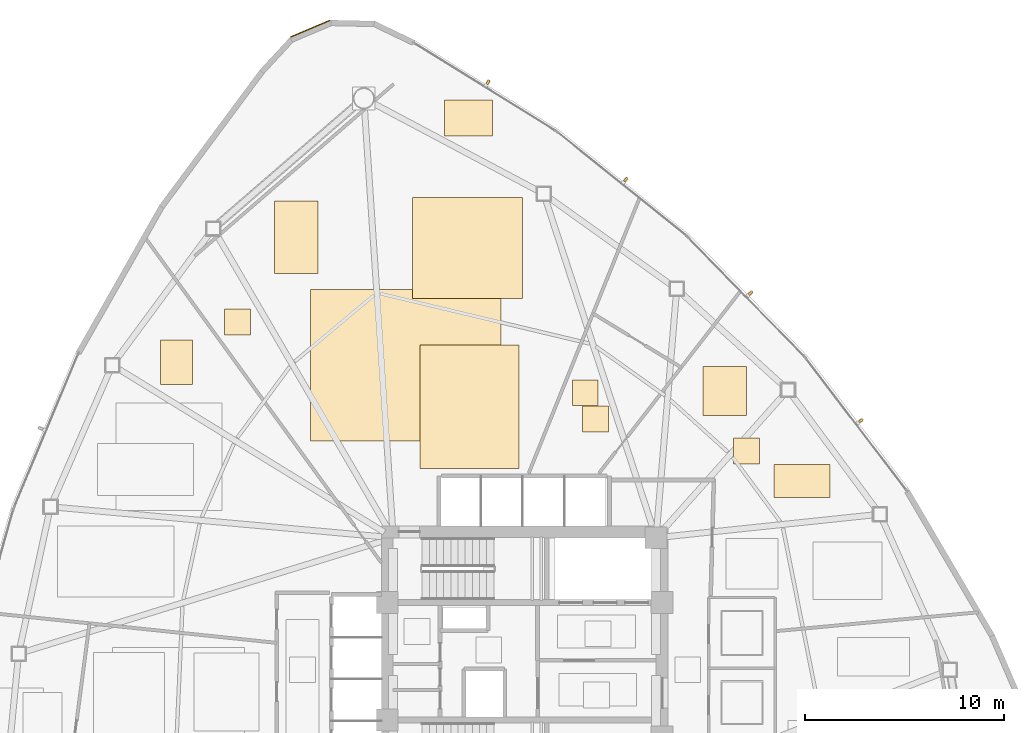
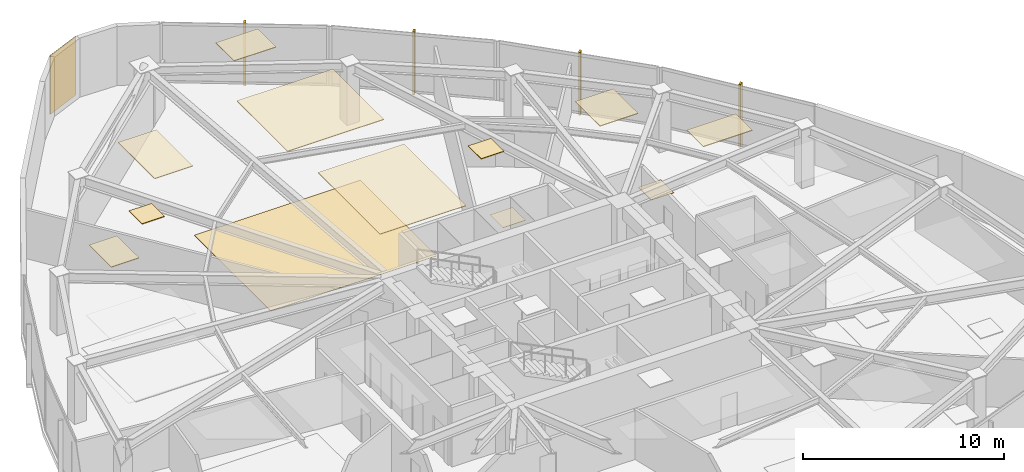
# One storey, part 17 of 17: 13 coverings, 4 shading devices.
"""IFC4 building model written with IfcOpenShell, lengths in metres."""

from ifc_helpers import new_model, si_unit, direction, frame, origin, origin_2d, place, context, subcontext, project, spatial, polyline, rectangle, outline, extrude, source, transform, mapped, material, layer, layer_set, type_object, type_shapes, element, save


model = new_model("IFC4")

# Units and contexts
model_context = context("Model", 3, precision=1e-05, world=origin(), true_north=direction((0.0, 1.0)))
body_context = subcontext(model_context, "Body", "Model", "MODEL_VIEW")
ifc_project = project(units=[si_unit("LENGTHUNIT", "METRE"), si_unit("AREAUNIT", "SQUARE_METRE"), si_unit("VOLUMEUNIT", "CUBIC_METRE"), si_unit("PLANEANGLEUNIT", "RADIAN"), si_unit("MASSUNIT", "GRAM", prefix="KILO")], contexts=[model_context])

# Site, building, storey
site_placement = place(None, origin())
site = spatial("IfcSite", under=ifc_project, at=site_placement, CompositionType="ELEMENT")
building_placement = place(site_placement, origin())
building = spatial("IfcBuilding", under=site, at=building_placement, Name="Tavelor Broadcast Tower", CompositionType="ELEMENT")
storey_placement = place(building_placement, frame((0.0, 0.0, 70.5)))
storey = spatial("IfcBuildingStorey", under=building, at=storey_placement, Name="L16", CompositionType="ELEMENT", Elevation=70.5)

# Coverings
ifc_material_1 = material(Name="Copper-Bronze Anodized Aluminium", Category="aluminium")
ifc_layer_1 = layer(ifc_material_1, 0.050048828125)
ifc_layer_set_1 = layer_set([ifc_layer_1], Name="Copper-Bronze Anodized Aluminium")
covering_type_1 = type_object("IfcCoveringType", Name="Champagne-Bronze Corner Pier Metal Cladding 50 mm", PredefinedType="CLADDING", material=ifc_layer_set_1)
covering_1_placement = place(storey_placement, frame((39.23388671875, 76.763916015625, 0.02001953125), z_axis=(0.0, 0.0, 1.0), x_axis=(-0.920845480141, -0.389927687788, 0.0)))
element("IfcCovering", 1, at=covering_1_placement, inside=storey, type_object=covering_type_1, Name="L16 Champagne-Bronze Corner Cladding 03", PredefinedType="CLADDING", context=body_context, shape_type="SweptSolid", body=[
    extrude(rectangle(XDim=2.1240234375, YDim=0.050048828125, at=origin_2d()), origin(), (0.0, 0.0, 1.0), 3.56005859375),
])
ifc_material_2 = material(Name="Acoustic Nylon Carpet Tile")
ifc_layer_2 = layer(ifc_material_2, 0.02001953125)
ifc_layer_set_2 = layer_set([ifc_layer_2], Name="Acoustic Nylon Carpet Tile")
covering_type_2 = type_object("IfcCoveringType", Name="Heavy-Duty Acoustic Broadcast Carpet Tile 20 mm", PredefinedType="FLOORING", material=ifc_layer_set_2)
covering_2_placement = place(storey_placement, origin())
element("IfcCovering", 2, at=covering_2_placement, inside=storey, type_object=covering_type_2, Name="L16 Broadcast Floor Finish 0229", PredefinedType="FLOORING", context=body_context, shape_type="SweptSolid", body=[
    extrude(outline(polyline([(39.24169921875, 56.05126953125), (48.7998046875, 56.05126953125), (48.7998046875, 63.656494140625), (39.24169921875, 63.656494140625), (39.24169921875, 56.05126953125)])), origin(), (0.0, 0.0, 1.0), 0.02001953125),
])
covering_3_placement = place(storey_placement, origin())
element("IfcCovering", 3, at=covering_3_placement, inside=storey, type_object=covering_type_2, Name="L16 Broadcast Floor Finish 0230", PredefinedType="FLOORING", context=body_context, shape_type="SweptSolid", body=[
    extrude(outline(polyline([(60.498291015625, 54.908203125), (61.79833984375, 54.908203125), (61.79833984375, 56.208251953125), (60.498291015625, 56.208251953125), (60.498291015625, 54.908203125)])), origin(), (0.0, 0.0, 1.0), 0.02001953125),
])
covering_4_placement = place(storey_placement, origin())
element("IfcCovering", 4, at=covering_4_placement, inside=storey, type_object=covering_type_2, Name="L16 Broadcast Floor Finish 0233", PredefinedType="FLOORING", context=body_context, shape_type="SweptSolid", body=[
    extrude(outline(polyline([(52.8984375, 56.521240234375), (54.198486328125, 56.521240234375), (54.198486328125, 57.8212890625), (52.8984375, 57.8212890625), (52.8984375, 56.521240234375)])), origin(), (0.0, 0.0, 1.0), 0.02001953125),
])
ifc_material_3 = material(Name="Acoustic Mineral Fibre Tile")
ifc_layer_3 = layer(ifc_material_3, 0.0400390625)
ifc_layer_set_3 = layer_set([ifc_layer_3], Name="Acoustic Mineral Fibre Tile")
covering_type_3 = type_object("IfcCoveringType", Name="Suspended Acoustic Mineral-Fibre Office Ceiling 40 mm", PredefinedType="CEILING", material=ifc_layer_set_3)
covering_5_placement = place(storey_placement, frame((0.0, 0.0, 3.56005859375)))
element("IfcCovering", 5, at=covering_5_placement, inside=storey, type_object=covering_type_3, Name="L16 Suspended Acoustic Ceiling 0658", PredefinedType="CEILING", context=body_context, shape_type="SweptSolid", body=[
    extrude(outline(polyline([(31.717041015625, 58.9072265625), (33.325927734375, 58.9072265625), (33.325927734375, 61.120849609375), (31.717041015625, 61.120849609375), (31.717041015625, 58.9072265625)])), origin(), (0.0, 0.0, 1.0), 0.0400390625),
])
covering_6_placement = place(storey_placement, frame((0.0, 0.0, 3.56005859375)))
element("IfcCovering", 6, at=covering_6_placement, inside=storey, type_object=covering_type_3, Name="L16 Suspended Acoustic Ceiling 0661", PredefinedType="CEILING", context=body_context, shape_type="SweptSolid", body=[
    extrude(outline(polyline([(37.434326171875, 64.480224609375), (39.633056640625, 64.480224609375), (39.633056640625, 68.120361328125), (37.434326171875, 68.120361328125), (37.434326171875, 64.480224609375)])), origin(), (0.0, 0.0, 1.0), 0.0400390625),
])
covering_7_placement = place(storey_placement, frame((0.0, 0.0, 3.56005859375)))
element("IfcCovering", 7, at=covering_7_placement, inside=storey, type_object=covering_type_3, Name="L16 Suspended Acoustic Ceiling 0662", PredefinedType="CEILING", context=body_context, shape_type="SweptSolid", body=[
    extrude(outline(polyline([(44.35986328125, 63.228271484375), (49.9013671875, 63.228271484375), (49.9013671875, 68.2919921875), (44.35986328125, 68.2919921875), (44.35986328125, 63.228271484375)])), origin(), (0.0, 0.0, 1.0), 0.0400390625),
])
covering_8_placement = place(storey_placement, frame((0.0, 0.0, 3.56005859375)))
element("IfcCovering", 8, at=covering_8_placement, inside=storey, type_object=covering_type_3, Name="L16 Suspended Acoustic Ceiling 0663", PredefinedType="CEILING", context=body_context, shape_type="SweptSolid", body=[
    extrude(outline(polyline([(45.975830078125, 71.364501953125), (48.392578125, 71.364501953125), (48.392578125, 73.18798828125), (45.975830078125, 73.18798828125), (45.975830078125, 71.364501953125)])), origin(), (0.0, 0.0, 1.0), 0.0400390625),
])
covering_9_placement = place(storey_placement, frame((0.0, 0.0, 3.56005859375)))
element("IfcCovering", 9, at=covering_9_placement, inside=storey, type_object=covering_type_3, Name="L16 Suspended Acoustic Ceiling 0664", PredefinedType="CEILING", context=body_context, shape_type="SweptSolid", body=[
    extrude(outline(polyline([(44.75, 54.687744140625), (49.71240234375, 54.687744140625), (49.71240234375, 60.87109375), (44.75, 60.87109375), (44.75, 54.687744140625)])), origin(), (0.0, 0.0, 1.0), 0.0400390625),
])
covering_10_placement = place(storey_placement, frame((0.0, 0.0, 3.56005859375)))
element("IfcCovering", 10, at=covering_10_placement, inside=storey, type_object=covering_type_3, Name="L16 Suspended Acoustic Ceiling 0665", PredefinedType="CEILING", context=body_context, shape_type="SweptSolid", body=[
    extrude(outline(polyline([(34.927978515625, 61.389892578125), (36.22802734375, 61.389892578125), (36.22802734375, 62.68994140625), (34.927978515625, 62.68994140625), (34.927978515625, 61.389892578125)])), origin(), (0.0, 0.0, 1.0), 0.0400390625),
])
covering_11_placement = place(storey_placement, frame((0.0, 0.0, 3.56005859375)))
element("IfcCovering", 11, at=covering_11_placement, inside=storey, type_object=covering_type_3, Name="L16 Suspended Acoustic Ceiling 0666", PredefinedType="CEILING", context=body_context, shape_type="SweptSolid", body=[
    extrude(outline(polyline([(58.944091796875, 57.34228515625), (61.1494140625, 57.34228515625), (61.1494140625, 59.808837890625), (58.944091796875, 59.808837890625), (58.944091796875, 57.34228515625)])), origin(), (0.0, 0.0, 1.0), 0.0400390625),
])
covering_12_placement = place(storey_placement, frame((0.0, 0.0, 3.56005859375)))
element("IfcCovering", 12, at=covering_12_placement, inside=storey, type_object=covering_type_3, Name="L16 Suspended Acoustic Ceiling 0669", PredefinedType="CEILING", context=body_context, shape_type="SweptSolid", body=[
    extrude(outline(polyline([(62.515380859375, 53.22216796875), (65.340087890625, 53.22216796875), (65.340087890625, 54.876220703125), (62.515380859375, 54.876220703125), (62.515380859375, 53.22216796875)])), origin(), (0.0, 0.0, 1.0), 0.0400390625),
])
covering_13_placement = place(storey_placement, frame((0.0, 0.0, 3.56005859375)))
element("IfcCovering", 13, at=covering_13_placement, inside=storey, type_object=covering_type_3, Name="L16 Suspended Acoustic Ceiling 0681", PredefinedType="CEILING", context=body_context, shape_type="SweptSolid", body=[
    extrude(outline(polyline([(52.393798828125, 57.83203125), (53.69384765625, 57.83203125), (53.69384765625, 59.132080078125), (52.393798828125, 59.132080078125), (52.393798828125, 57.83203125)])), origin(), (0.0, 0.0, 1.0), 0.0400390625),
])

# Shading devices
ifc_material_4 = material(Name="Kiln-Fired Glazed Terracotta", Category="masonry")
shading_device_type = type_object("IfcShadingDeviceType", Name="Extruded Terracotta Baguette Sun-Screen 110x240", PredefinedType="JALOUSIE", material=ifc_material_4)
shared_shape = source(origin(), body_context, "Body", "SweptSolid", [
    extrude(rectangle(XDim=0.110107421875, YDim=0.239990234375, at=origin_2d()), origin(), (0.0, 0.0, 1.0), 3.840087890625),
])
type_shapes(shading_device_type, [shared_shape])
for number, where, z_axis, x_axis, name in (
    (14, (66.883056640625, 57.08642578125, -0.26025390625), (0.0, 0.0, 1.0), (-0.606266035968, 0.79526190254, 0.0), "L16 Terracotta Baguette Fin 153"),
    (15, (61.34912109375, 63.497802734375, -0.26025390625), (0.0, 0.0, 1.0), (-0.698165418993, 0.715936483022, 0.0), "L16 Terracotta Baguette Fin 154"),
    (16, (55.07958984375, 69.1923828125, -0.26025390625), (0.0, 0.0, 1.0), (-0.779665947075, 0.626195665085, 0.0), "L16 Terracotta Baguette Fin 155"),
    (17, (48.167236328125, 74.086181640625, -0.26025390625), (0.0, 0.0, 1.0), (-0.849708698939, 0.527252431902, 0.0), "L16 Terracotta Baguette Fin 156"),
):
    element("IfcShadingDevice", number, at=place(storey_placement, frame(where, z_axis=z_axis, x_axis=x_axis)), inside=storey, type_object=shading_device_type, Name=name, PredefinedType="JALOUSIE", context=body_context, shape_type="MappedRepresentation", body=[
        mapped(shared_shape, transform((0.0, 0.0, 0.0), scale=1.0)),
    ])

save(model, "model.ifc")
